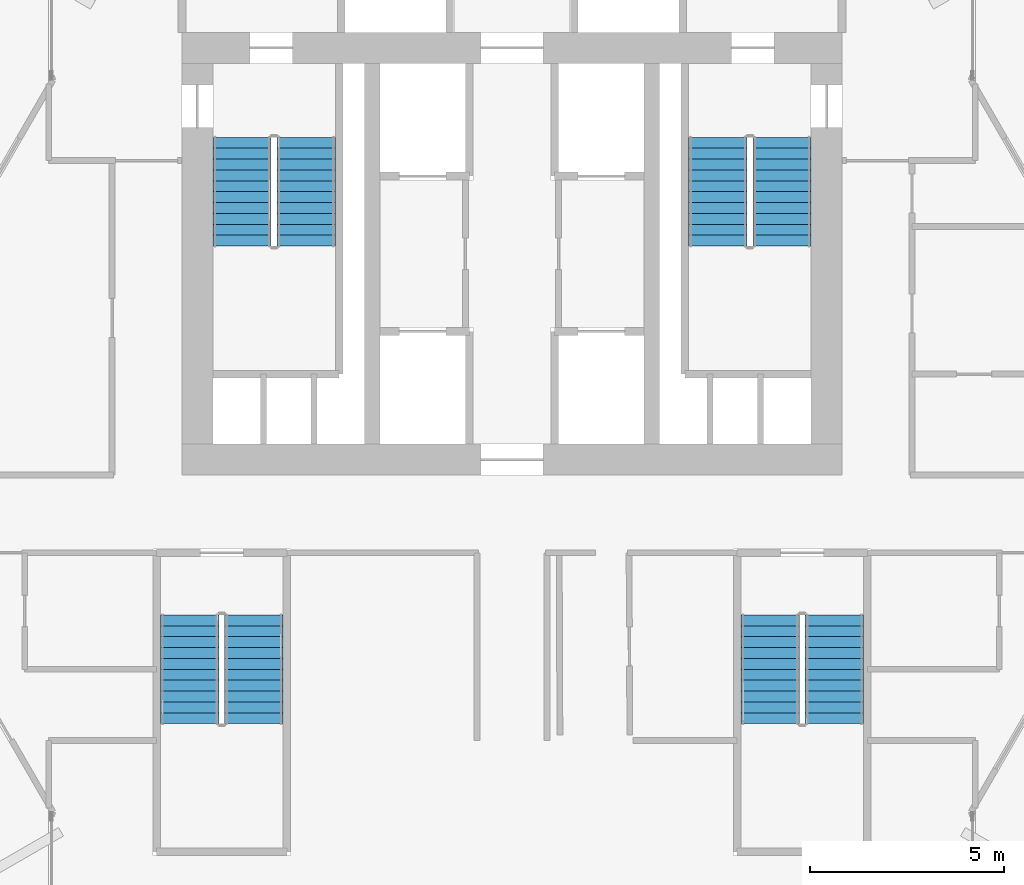
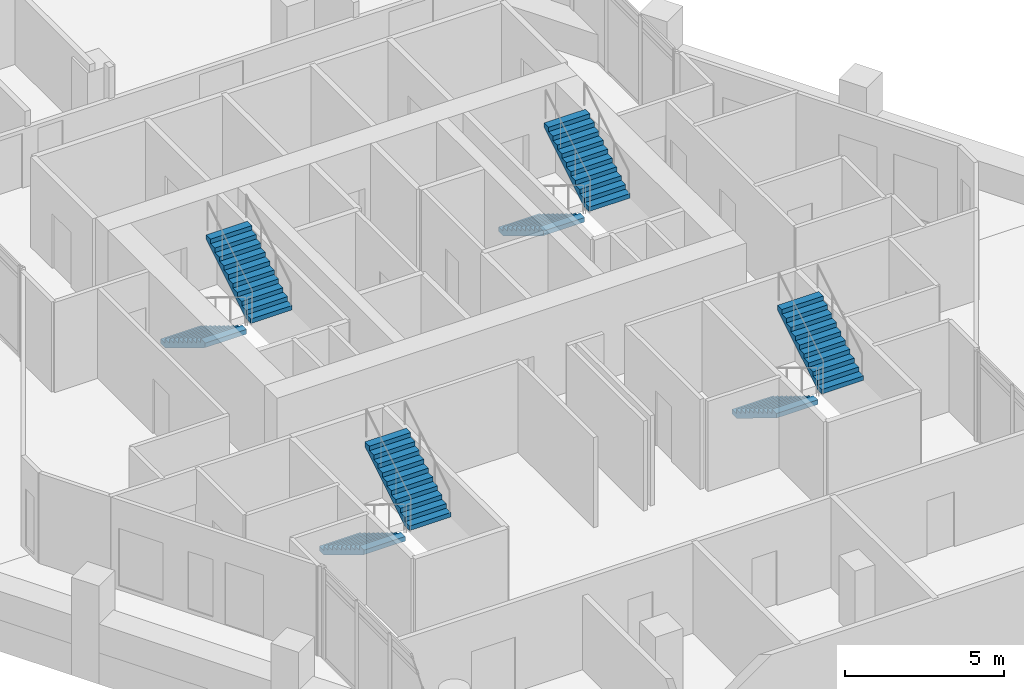
# One storey, part 36 of 38: 8 stair flights, 4 elements without a shape of their own.
"""IFC4 building model written with IfcOpenShell, lengths in metres."""

from ifc_helpers import new_model, si_unit, direction, frame, origin, place, context, subcontext, project, spatial, polyline, outline, extrude, material, type_object, element, aggregate, save


model = new_model("IFC4")

# Units and contexts
model_context = context("Model", 3, precision=1e-05, world=origin(), true_north=direction((0.0, 1.0)))
body_context = subcontext(model_context, "Body", "Model", "MODEL_VIEW")
ifc_project = project(units=[si_unit("LENGTHUNIT", "METRE"), si_unit("AREAUNIT", "SQUARE_METRE"), si_unit("VOLUMEUNIT", "CUBIC_METRE"), si_unit("PLANEANGLEUNIT", "RADIAN"), si_unit("MASSUNIT", "GRAM", prefix="KILO")], contexts=[model_context])

# Site, building, storey
site_placement = place(None, origin())
site = spatial("IfcSite", under=ifc_project, at=site_placement, CompositionType="ELEMENT")
building_placement = place(site_placement, origin())
building = spatial("IfcBuilding", under=site, at=building_placement, Name="Ostrander Bayou Hotel Tower", CompositionType="ELEMENT")
storey_placement = place(building_placement, frame((0.0, 0.0, 194.5)))
storey = spatial("IfcBuildingStorey", under=building, at=storey_placement, Name="L48", CompositionType="ELEMENT", Elevation=194.5)

# Stair, stair flights
ifc_material_1 = material(Name="Concrete f'c 45 MPa", Category="concrete")
stair_type = type_object("IfcStairType", Name="ST1 exit stair 1500 mm f'c 45 MPa", PredefinedType="HALF_TURN_STAIR", material=ifc_material_1)
stair_1_placement = place(storey_placement, origin())
stair_1 = element("IfcStair", 1, at=stair_1_placement, inside=storey, type_object=stair_type, Name="L48 exit stair A", PredefinedType="HALF_TURN_STAIR")
ifc_material_2 = material(Name="Concrete f'c 45 MPa", Category="concrete")
stair_flight_type = type_object("IfcStairFlightType", Name="SF1 stair flight 1500 mm f'c 45 MPa", PredefinedType="STRAIGHT", material=ifc_material_2)
stair_flight_1_placement = place(storey_placement, frame((-6.949951171875, 7.0, 0.0), z_axis=(0.0, 0.0, 1.0), x_axis=(0.0, -1.0, 0.0)))
stair_flight_1 = element("IfcStairFlight", 2, at=stair_flight_1_placement, type_object=stair_flight_type, Name="STA flight 1", NumberOfRisers=11, NumberOfTreads=10, PredefinedType="STRAIGHT", RiserHeight=0.170454545, TreadLength=0.28, context=body_context, shape_type="SweptSolid", body=[
    extrude(outline(polyline([(0.0, 0.0), (0.0, 0.17041015625), (0.280029296875, 0.17041015625), (0.280029296875, 0.3408203125), (0.56005859375, 0.3408203125), (0.56005859375, 0.511474609375), (0.840087890625, 0.511474609375), (0.840087890625, 0.681884765625), (1.1201171875, 0.681884765625), (1.1201171875, 0.852294921875), (1.39990234375, 0.852294921875), (1.39990234375, 1.022705078125), (1.679931640625, 1.022705078125), (1.679931640625, 1.193115234375), (1.9599609375, 1.193115234375), (1.9599609375, 1.363525390625), (2.239990234375, 1.363525390625), (2.239990234375, 1.5341796875), (2.52001953125, 1.5341796875), (2.52001953125, 1.70458984375), (2.800048828125, 1.70458984375), (2.800048828125, 1.875), (2.800048828125, 1.529052734375), (0.288330078125, 0.0), (0.0, 0.0)])), frame((0.0, 0.75, 0.0), z_axis=(0.0, -1.0, 0.0), x_axis=(1.0, 0.0, 0.0)), (0.0, 0.0, 1.0), 1.5),
])
stair_flight_2_placement = place(storey_placement, frame((-5.300048828125, 4.199951171875, 1.875), z_axis=(0.0, 0.0, 1.0), x_axis=(0.0, 1.0, 0.0)))
stair_flight_2 = element("IfcStairFlight", 3, at=stair_flight_2_placement, type_object=stair_flight_type, Name="STA flight 2", NumberOfRisers=11, NumberOfTreads=10, PredefinedType="STRAIGHT", RiserHeight=0.170454545, TreadLength=0.28, context=body_context, shape_type="SweptSolid", body=[
    extrude(outline(polyline([(0.0, 0.0), (0.0, 0.17041015625), (0.280029296875, 0.17041015625), (0.280029296875, 0.3408203125), (0.56005859375, 0.3408203125), (0.56005859375, 0.511474609375), (0.840087890625, 0.511474609375), (0.840087890625, 0.681884765625), (1.1201171875, 0.681884765625), (1.1201171875, 0.852294921875), (1.39990234375, 0.852294921875), (1.39990234375, 1.022705078125), (1.679931640625, 1.022705078125), (1.679931640625, 1.193115234375), (1.9599609375, 1.193115234375), (1.9599609375, 1.363525390625), (2.239990234375, 1.363525390625), (2.239990234375, 1.5341796875), (2.52001953125, 1.5341796875), (2.52001953125, 1.70458984375), (2.800048828125, 1.70458984375), (2.800048828125, 1.875), (2.800048828125, 1.529052734375), (0.288330078125, 0.0), (0.0, 0.0)])), frame((0.0, 0.75, 0.0), z_axis=(0.0, -1.0, 0.0), x_axis=(1.0, 0.0, 0.0)), (0.0, 0.0, 1.0), 1.5),
])
aggregate(stair_1, [stair_flight_1, stair_flight_2])

stair_2_placement = place(storey_placement, origin())
stair_2 = element("IfcStair", 4, at=stair_2_placement, inside=storey, type_object=stair_type, Name="L48 exit stair B", PredefinedType="HALF_TURN_STAIR")
stair_flight_3_placement = place(storey_placement, frame((5.300048828125, 7.0, 0.0), z_axis=(0.0, 0.0, 1.0), x_axis=(0.0, -1.0, 0.0)))
stair_flight_3 = element("IfcStairFlight", 5, at=stair_flight_3_placement, type_object=stair_flight_type, Name="STB flight 1", NumberOfRisers=11, NumberOfTreads=10, PredefinedType="STRAIGHT", RiserHeight=0.170454545, TreadLength=0.28, context=body_context, shape_type="SweptSolid", body=[
    extrude(outline(polyline([(0.0, 0.0), (0.0, 0.17041015625), (0.280029296875, 0.17041015625), (0.280029296875, 0.3408203125), (0.56005859375, 0.3408203125), (0.56005859375, 0.511474609375), (0.840087890625, 0.511474609375), (0.840087890625, 0.681884765625), (1.1201171875, 0.681884765625), (1.1201171875, 0.852294921875), (1.39990234375, 0.852294921875), (1.39990234375, 1.022705078125), (1.679931640625, 1.022705078125), (1.679931640625, 1.193115234375), (1.9599609375, 1.193115234375), (1.9599609375, 1.363525390625), (2.239990234375, 1.363525390625), (2.239990234375, 1.5341796875), (2.52001953125, 1.5341796875), (2.52001953125, 1.70458984375), (2.800048828125, 1.70458984375), (2.800048828125, 1.875), (2.800048828125, 1.529052734375), (0.288330078125, 0.0), (0.0, 0.0)])), frame((0.0, 0.75, 0.0), z_axis=(0.0, -1.0, 0.0), x_axis=(1.0, 0.0, 0.0)), (0.0, 0.0, 1.0), 1.5),
])
stair_flight_4_placement = place(storey_placement, frame((6.949951171875, 4.199951171875, 1.875), z_axis=(0.0, 0.0, 1.0), x_axis=(0.0, 1.0, 0.0)))
stair_flight_4 = element("IfcStairFlight", 6, at=stair_flight_4_placement, type_object=stair_flight_type, Name="STB flight 2", NumberOfRisers=11, NumberOfTreads=10, PredefinedType="STRAIGHT", RiserHeight=0.170454545, TreadLength=0.28, context=body_context, shape_type="SweptSolid", body=[
    extrude(outline(polyline([(0.0, 0.0), (0.0, 0.17041015625), (0.280029296875, 0.17041015625), (0.280029296875, 0.3408203125), (0.56005859375, 0.3408203125), (0.56005859375, 0.511474609375), (0.840087890625, 0.511474609375), (0.840087890625, 0.681884765625), (1.1201171875, 0.681884765625), (1.1201171875, 0.852294921875), (1.39990234375, 0.852294921875), (1.39990234375, 1.022705078125), (1.679931640625, 1.022705078125), (1.679931640625, 1.193115234375), (1.9599609375, 1.193115234375), (1.9599609375, 1.363525390625), (2.239990234375, 1.363525390625), (2.239990234375, 1.5341796875), (2.52001953125, 1.5341796875), (2.52001953125, 1.70458984375), (2.800048828125, 1.70458984375), (2.800048828125, 1.875), (2.800048828125, 1.529052734375), (0.288330078125, 0.0), (0.0, 0.0)])), frame((0.0, 0.75, 0.0), z_axis=(0.0, -1.0, 0.0), x_axis=(1.0, 0.0, 0.0)), (0.0, 0.0, 1.0), 1.5),
])
aggregate(stair_2, [stair_flight_3, stair_flight_4])

stair_3_placement = place(storey_placement, origin())
stair_3 = element("IfcStair", 7, at=stair_3_placement, inside=storey, type_object=stair_type, Name="L48 exit stair C", PredefinedType="HALF_TURN_STAIR")
stair_flight_5_placement = place(storey_placement, frame((6.64990234375, -5.300048828125, 0.0), z_axis=(0.0, 0.0, 1.0), x_axis=(0.0, -1.0, 0.0)))
stair_flight_5 = element("IfcStairFlight", 8, at=stair_flight_5_placement, type_object=stair_flight_type, Name="STC flight 1", NumberOfRisers=11, NumberOfTreads=10, PredefinedType="STRAIGHT", RiserHeight=0.170454545, TreadLength=0.28, context=body_context, shape_type="SweptSolid", body=[
    extrude(outline(polyline([(0.0, 0.0), (0.0, 0.17041015625), (0.280029296875, 0.17041015625), (0.280029296875, 0.3408203125), (0.56005859375, 0.3408203125), (0.56005859375, 0.511474609375), (0.840087890625, 0.511474609375), (0.840087890625, 0.681884765625), (1.1201171875, 0.681884765625), (1.1201171875, 0.852294921875), (1.39990234375, 0.852294921875), (1.39990234375, 1.022705078125), (1.679931640625, 1.022705078125), (1.679931640625, 1.193115234375), (1.9599609375, 1.193115234375), (1.9599609375, 1.363525390625), (2.239990234375, 1.363525390625), (2.239990234375, 1.5341796875), (2.52001953125, 1.5341796875), (2.52001953125, 1.70458984375), (2.800048828125, 1.70458984375), (2.800048828125, 1.875), (2.800048828125, 1.529052734375), (0.288330078125, 0.0), (0.0, 0.0)])), frame((0.0, 0.75, 0.0), z_axis=(0.0, -1.0, 0.0), x_axis=(1.0, 0.0, 0.0)), (0.0, 0.0, 1.0), 1.5),
])
stair_flight_6_placement = place(storey_placement, frame((8.300048828125, -8.10009765625, 1.875), z_axis=(0.0, 0.0, 1.0), x_axis=(0.0, 1.0, 0.0)))
stair_flight_6 = element("IfcStairFlight", 9, at=stair_flight_6_placement, type_object=stair_flight_type, Name="STC flight 2", NumberOfRisers=11, NumberOfTreads=10, PredefinedType="STRAIGHT", RiserHeight=0.170454545, TreadLength=0.28, context=body_context, shape_type="SweptSolid", body=[
    extrude(outline(polyline([(0.0, 0.0), (0.0, 0.17041015625), (0.280029296875, 0.17041015625), (0.280029296875, 0.3408203125), (0.56005859375, 0.3408203125), (0.56005859375, 0.511474609375), (0.840087890625, 0.511474609375), (0.840087890625, 0.681884765625), (1.1201171875, 0.681884765625), (1.1201171875, 0.852294921875), (1.39990234375, 0.852294921875), (1.39990234375, 1.022705078125), (1.679931640625, 1.022705078125), (1.679931640625, 1.193115234375), (1.9599609375, 1.193115234375), (1.9599609375, 1.363525390625), (2.239990234375, 1.363525390625), (2.239990234375, 1.5341796875), (2.52001953125, 1.5341796875), (2.52001953125, 1.70458984375), (2.800048828125, 1.70458984375), (2.800048828125, 1.875), (2.800048828125, 1.529052734375), (0.288330078125, 0.0), (0.0, 0.0)])), frame((0.0, 0.75, 0.0), z_axis=(0.0, -1.0, 0.0), x_axis=(1.0, 0.0, 0.0)), (0.0, 0.0, 1.0), 1.5),
])
aggregate(stair_3, [stair_flight_5, stair_flight_6])

stair_4_placement = place(storey_placement, origin())
stair_4 = element("IfcStair", 10, at=stair_4_placement, inside=storey, type_object=stair_type, Name="L48 exit stair D", PredefinedType="HALF_TURN_STAIR")
stair_flight_7_placement = place(storey_placement, frame((-8.300048828125, -5.300048828125, 0.0), z_axis=(0.0, 0.0, 1.0), x_axis=(0.0, -1.0, 0.0)))
stair_flight_7 = element("IfcStairFlight", 11, at=stair_flight_7_placement, type_object=stair_flight_type, Name="STD flight 1", NumberOfRisers=11, NumberOfTreads=10, PredefinedType="STRAIGHT", RiserHeight=0.170454545, TreadLength=0.28, context=body_context, shape_type="SweptSolid", body=[
    extrude(outline(polyline([(0.0, 0.0), (0.0, 0.17041015625), (0.280029296875, 0.17041015625), (0.280029296875, 0.3408203125), (0.56005859375, 0.3408203125), (0.56005859375, 0.511474609375), (0.840087890625, 0.511474609375), (0.840087890625, 0.681884765625), (1.1201171875, 0.681884765625), (1.1201171875, 0.852294921875), (1.39990234375, 0.852294921875), (1.39990234375, 1.022705078125), (1.679931640625, 1.022705078125), (1.679931640625, 1.193115234375), (1.9599609375, 1.193115234375), (1.9599609375, 1.363525390625), (2.239990234375, 1.363525390625), (2.239990234375, 1.5341796875), (2.52001953125, 1.5341796875), (2.52001953125, 1.70458984375), (2.800048828125, 1.70458984375), (2.800048828125, 1.875), (2.800048828125, 1.529052734375), (0.288330078125, 0.0), (0.0, 0.0)])), frame((0.0, 0.75, 0.0), z_axis=(0.0, -1.0, 0.0), x_axis=(1.0, 0.0, 0.0)), (0.0, 0.0, 1.0), 1.5),
])
stair_flight_8_placement = place(storey_placement, frame((-6.64990234375, -8.10009765625, 1.875), z_axis=(0.0, 0.0, 1.0), x_axis=(0.0, 1.0, 0.0)))
stair_flight_8 = element("IfcStairFlight", 12, at=stair_flight_8_placement, type_object=stair_flight_type, Name="STD flight 2", NumberOfRisers=11, NumberOfTreads=10, PredefinedType="STRAIGHT", RiserHeight=0.170454545, TreadLength=0.28, context=body_context, shape_type="SweptSolid", body=[
    extrude(outline(polyline([(0.0, 0.0), (0.0, 0.17041015625), (0.280029296875, 0.17041015625), (0.280029296875, 0.3408203125), (0.56005859375, 0.3408203125), (0.56005859375, 0.511474609375), (0.840087890625, 0.511474609375), (0.840087890625, 0.681884765625), (1.1201171875, 0.681884765625), (1.1201171875, 0.852294921875), (1.39990234375, 0.852294921875), (1.39990234375, 1.022705078125), (1.679931640625, 1.022705078125), (1.679931640625, 1.193115234375), (1.9599609375, 1.193115234375), (1.9599609375, 1.363525390625), (2.239990234375, 1.363525390625), (2.239990234375, 1.5341796875), (2.52001953125, 1.5341796875), (2.52001953125, 1.70458984375), (2.800048828125, 1.70458984375), (2.800048828125, 1.875), (2.800048828125, 1.529052734375), (0.288330078125, 0.0), (0.0, 0.0)])), frame((0.0, 0.75, 0.0), z_axis=(0.0, -1.0, 0.0), x_axis=(1.0, 0.0, 0.0)), (0.0, 0.0, 1.0), 1.5),
])
aggregate(stair_4, [stair_flight_7, stair_flight_8])

save(model, "model.ifc")
